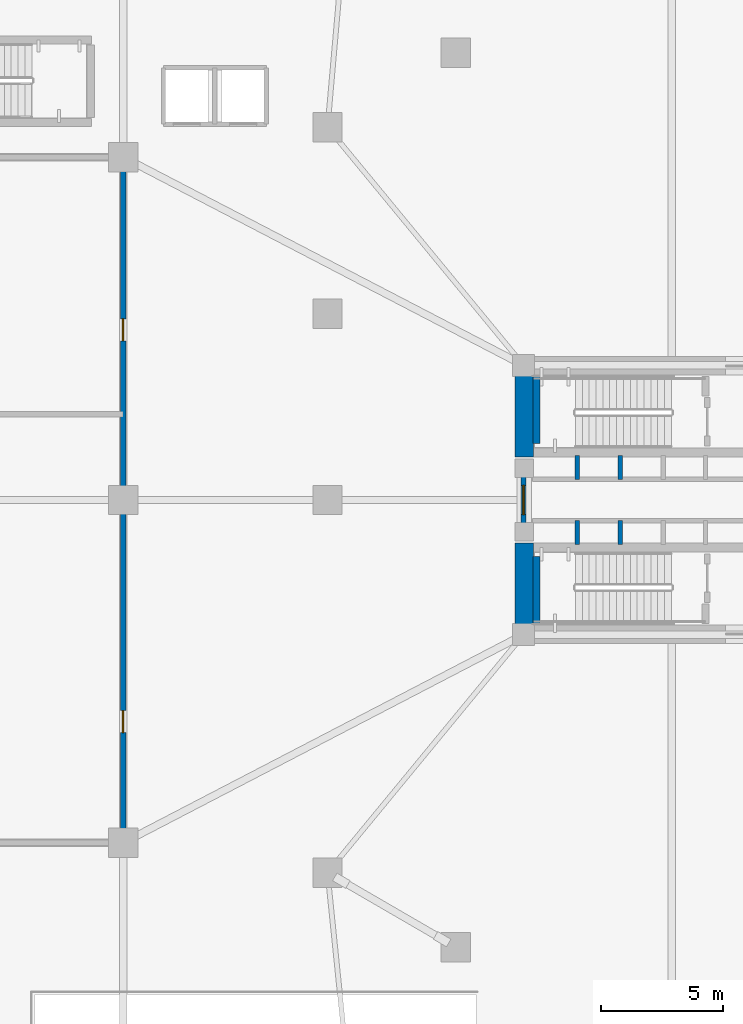
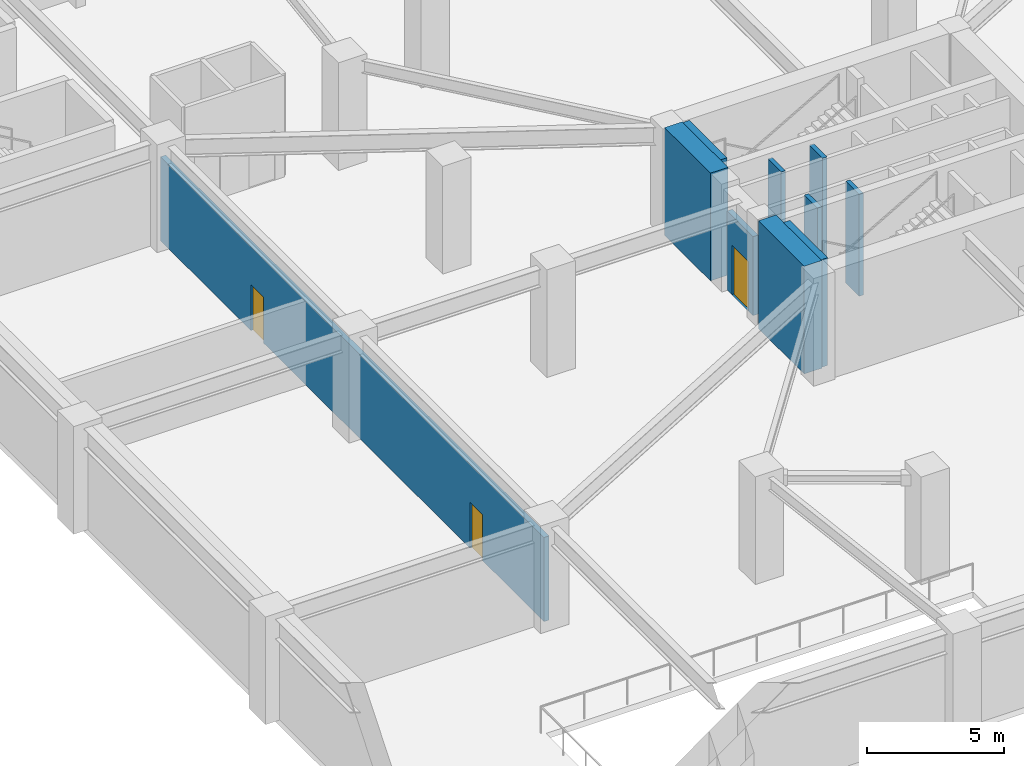
# One storey, part 3 of 13: 10 walls, 3 doors, 3 openings.
"""IFC4 building model written with IfcOpenShell, lengths in metres."""

from ifc_helpers import new_model, si_unit, direction, frame, frame_2d, origin, place, context, subcontext, project, spatial, rectangle, extrude, material, layer, layer_set, type_object, element, fill, save


model = new_model("IFC4")

# Units and contexts
model_context = context("Model", 3, precision=1e-05, world=origin(), true_north=direction((0.0, 1.0)))
body_context = subcontext(model_context, "Body", "Model", "MODEL_VIEW")
ifc_project = project(units=[si_unit("LENGTHUNIT", "METRE"), si_unit("AREAUNIT", "SQUARE_METRE"), si_unit("VOLUMEUNIT", "CUBIC_METRE"), si_unit("PLANEANGLEUNIT", "RADIAN"), si_unit("MASSUNIT", "GRAM", prefix="KILO")], contexts=[model_context])

# Site, building, storey
site_placement = place(None, origin())
site = spatial("IfcSite", under=ifc_project, at=site_placement, CompositionType="ELEMENT")
building_placement = place(site_placement, origin())
building = spatial("IfcBuilding", under=site, at=building_placement, Name="Yunling Apex Tower", CompositionType="ELEMENT")
storey_placement = place(building_placement, frame((0.0, 0.0, -4.800048828125)))
storey = spatial("IfcBuildingStorey", under=building, at=storey_placement, Name="B01", CompositionType="ELEMENT", Elevation=-4.800048828125)

# Walls
ifc_material_1 = material(Name="Concrete C60", Category="concrete")
ifc_layer_1 = layer(ifc_material_1, 0.75)
ifc_layer_set_1 = layer_set([ifc_layer_1], Name="Concrete C60")
wall_type_1 = type_object("IfcWallType", Name="WL-COR-1", PredefinedType="SHEAR", material=ifc_layer_set_1)
for number, where, z_axis, x_axis, name in (
    (1, (-6.02490234375, -5.10009765625, 0.0), (0.0, 0.0, 1.0), (0.0, 1.0, 0.0), "B01 West-South Core Shear Wall"),
    (2, (-6.02490234375, 1.75, 0.0), (0.0, 0.0, 1.0), (0.0, 1.0, 0.0), "B01 West-North Core Shear Wall"),
):
    element("IfcWall", number, at=place(storey_placement, frame(where, z_axis=z_axis, x_axis=x_axis)), inside=storey, type_object=wall_type_1, Name=name, PredefinedType="SHEAR", context=body_context, shape_type="SweptSolid", body=[
        extrude(rectangle(XDim=3.35009765625, YDim=0.75, at=frame_2d((1.675048828125, 0.0))), origin(), (0.0, 0.0, 1.0), 4.800048828125),
    ])
ifc_material_2 = material(Name="Concrete C40", Category="concrete")
ifc_layer_2 = layer(ifc_material_2, 0.280029296875)
ifc_layer_set_2 = layer_set([ifc_layer_2], Name="Concrete C40")
wall_type_2 = type_object("IfcWallType", Name="WL-COR-8", PredefinedType="SHEAR", material=ifc_layer_set_2)
for number, where, z_axis, x_axis, name in (
    (3, (-5.52001953125, 2.300048828125, 0.0), (0.0, 0.0, 1.0), (0.0, 1.0, 0.0), "B01 ST-1 West Landing Bearing Wall"),
    (4, (-5.52001953125, -5.050048828125, 0.0), (0.0, 0.0, 1.0), (0.0, 1.0, 0.0), "B01 ST-2 West Landing Bearing Wall"),
):
    element("IfcWall", number, at=place(storey_placement, frame(where, z_axis=z_axis, x_axis=x_axis)), inside=storey, type_object=wall_type_2, Name=name, PredefinedType="SHEAR", context=body_context, shape_type="SweptSolid", body=[
        extrude(rectangle(XDim=2.75, YDim=0.280029296875, at=frame_2d((1.375, 0.0))), origin(), (0.0, 0.0, 1.0), 4.800048828125),
    ])

# Wall, opening, door
ifc_material_3 = material(Name="Autoclaved aerated concrete masonry", Category="masonry")
ifc_layer_3 = layer(ifc_material_3, 0.219970703125)
ifc_layer_set_3 = layer_set([ifc_layer_3], Name="Autoclaved aerated concrete masonry")
wall_type_3 = type_object("IfcWallType", Name="WL-SHF-1", PredefinedType="PLUMBINGWALL", material=ifc_layer_set_3)
wall_1_placement = place(storey_placement, frame((-6.050048828125, -0.949951171875, 0.0), z_axis=(0.0, 0.0, 1.0), x_axis=(0.0, 1.0, 0.0)))
wall_1 = element("IfcWall", 5, at=wall_1_placement, inside=storey, type_object=wall_type_3, Name="WL-COR-WPORT-B01", PredefinedType="PLUMBINGWALL", context=body_context, shape_type="SweptSolid", body=[
    extrude(rectangle(XDim=1.89990234375, YDim=0.219970703125, at=frame_2d((0.949951171875, 0.0))), origin(), (0.0, 0.0, 1.0), 3.52001953125),
])
opening_1_placement = place(wall_1_placement, frame((0.35009765625, 0.0, 0.0)))
opening_1 = element("IfcOpeningElement", 6, at=opening_1_placement, cuts=wall_1, Name="Opening DR-FFL-1", PredefinedType="OPENING", context=body_context, shape_type="SweptSolid", body=[
    extrude(rectangle(XDim=1.199951171875, YDim=2.199951171875, at=frame_2d((0.60009765625, 1.10009765625))), frame((0.0, 0.1201171875, 0.0), z_axis=(0.0, -1.0, 0.0), x_axis=(1.0, 0.0, 0.0)), (0.0, 0.0, 1.0), 0.239990234375),
])
ifc_material_4 = material(Name="Steel Q355B", Category="steel")
door_type_1 = type_object("IfcDoorType", Name="DR-FFL-1", OperationType="NOTDEFINED", PredefinedType="DOOR", material=ifc_material_4)
door_1_placement = place(opening_1_placement, origin())
door_1 = element("IfcDoor", 7, at=door_1_placement, inside=storey, type_object=door_type_1, Name="B01 Passenger Lift Lobby Entrance Door", OperationType="SINGLE_SWING_RIGHT", OverallHeight=2.199951171875, OverallWidth=1.199951171875, PredefinedType="DOOR", context=body_context, shape_type="SweptSolid", body=[
    extrude(rectangle(XDim=1.199951171875, YDim=2.199951171875, at=frame_2d((0.60009765625, 1.10009765625))), frame((0.0, 0.02490234375, 0.0), z_axis=(0.0, -1.0, 0.0), x_axis=(1.0, 0.0, 0.0)), (0.0, 0.0, 1.0), 0.050048828125),
])
fill(opening_1, door_1)

# Wall, openings, doors
wall_2_placement = place(storey_placement, frame((-22.39990234375, -14.0, 0.0), z_axis=(0.0, 0.0, 1.0), x_axis=(0.0, 1.0, 0.0)))
wall_2 = element("IfcWall", 8, at=wall_2_placement, inside=storey, type_object=wall_type_3, Name="WL-BMEP-E-B01", PredefinedType="PLUMBINGWALL", context=body_context, shape_type="SweptSolid", body=[
    extrude(rectangle(XDim=28.0, YDim=0.219970703125, at=frame_2d((14.0, 0.0))), origin(), (0.0, 0.0, 1.0), 3.7451171875),
])
opening_2_placement = place(wall_2_placement, frame((4.5, 0.0, 0.0)))
opening_2 = element("IfcOpeningElement", 9, at=opening_2_placement, cuts=wall_2, Name="Opening DR-SHF-1", PredefinedType="OPENING", context=body_context, shape_type="SweptSolid", body=[
    extrude(rectangle(XDim=0.89990234375, YDim=2.050048828125, at=frame_2d((0.449951171875, 1.02490234375))), frame((0.0, 0.1201171875, 0.0), z_axis=(0.0, -1.0, 0.0), x_axis=(1.0, 0.0, 0.0)), (0.0, 0.0, 1.0), 0.239990234375),
])
opening_3_placement = place(wall_2_placement, frame((20.5, 0.0, 0.0)))
opening_3 = element("IfcOpeningElement", 10, at=opening_3_placement, cuts=wall_2, Name="Opening DR-SHF-1", PredefinedType="OPENING", context=body_context, shape_type="SweptSolid", body=[
    extrude(rectangle(XDim=0.89990234375, YDim=2.050048828125, at=frame_2d((0.449951171875, 1.02490234375))), frame((0.0, 0.1201171875, 0.0), z_axis=(0.0, -1.0, 0.0), x_axis=(1.0, 0.0, 0.0)), (0.0, 0.0, 1.0), 0.239990234375),
])
door_type_2 = type_object("IfcDoorType", Name="DR-SHF-1", OperationType="NOTDEFINED", PredefinedType="DOOR", material=ifc_material_4)
door_2_placement = place(opening_2_placement, origin())
door_2 = element("IfcDoor", 11, at=door_2_placement, inside=storey, type_object=door_type_2, Name="B01 Main High-Voltage Substation Switchroom Door", OperationType="SINGLE_SWING_RIGHT", OverallHeight=2.050048828125, OverallWidth=0.89990234375, PredefinedType="DOOR", context=body_context, shape_type="SweptSolid", body=[
    extrude(rectangle(XDim=0.89990234375, YDim=2.050048828125, at=frame_2d((0.449951171875, 1.02490234375))), frame((0.0, 0.02490234375, 0.0), z_axis=(0.0, -1.0, 0.0), x_axis=(1.0, 0.0, 0.0)), (0.0, 0.0, 1.0), 0.050048828125),
])
fill(opening_2, door_2)
door_3_placement = place(opening_3_placement, origin())
door_3 = element("IfcDoor", 12, at=door_3_placement, inside=storey, type_object=door_type_2, Name="B01 Emergency Standby Generator Plant Room Door", OperationType="SINGLE_SWING_LEFT", OverallHeight=2.050048828125, OverallWidth=0.89990234375, PredefinedType="DOOR", context=body_context, shape_type="SweptSolid", body=[
    extrude(rectangle(XDim=0.89990234375, YDim=2.050048828125, at=frame_2d((0.449951171875, 1.02490234375))), frame((0.0, 0.02490234375, 0.0), z_axis=(0.0, -1.0, 0.0), x_axis=(1.0, 0.0, 0.0)), (0.0, 0.0, 1.0), 0.050048828125),
])
fill(opening_3, door_3)

# Walls
ifc_layer_4 = layer(ifc_material_3, 0.179931640625)
ifc_layer_set_4 = layer_set([ifc_layer_4], Name="Autoclaved aerated concrete masonry")
wall_type_4 = type_object("IfcWallType", Name="WL-SHF-2", PredefinedType="PLUMBINGWALL", material=ifc_layer_set_4)
for number, where, z_axis, x_axis, name in (
    (13, (-3.85009765625, 0.840087890625, 0.0), (0.0, 0.0, 1.0), (0.0, 1.0, 0.0), "WL-DIV-L12-B01"),
    (14, (-3.85009765625, -1.820068359375, 0.0), (0.0, 0.0, 1.0), (0.0, 1.0, 0.0), "WL-DIV-L34-B01"),
    (15, (-2.10009765625, 0.840087890625, 0.0), (0.0, 0.0, 1.0), (0.0, 1.0, 0.0), "WL-BNK-LM-N-B01"),
    (16, (-2.10009765625, -1.820068359375, 0.0), (0.0, 0.0, 1.0), (0.0, 1.0, 0.0), "WL-BNK-LM-S-B01"),
):
    element("IfcWall", number, at=place(storey_placement, frame(where, z_axis=z_axis, x_axis=x_axis)), inside=storey, type_object=wall_type_4, Name=name, PredefinedType="PLUMBINGWALL", context=body_context, shape_type="SweptSolid", body=[
        extrude(rectangle(XDim=0.97998046875, YDim=0.179931640625, at=frame_2d((0.489990234375, 0.0))), origin(), (0.0, 0.0, 1.0), 4.5400390625),
    ])

save(model, "model.ifc")
